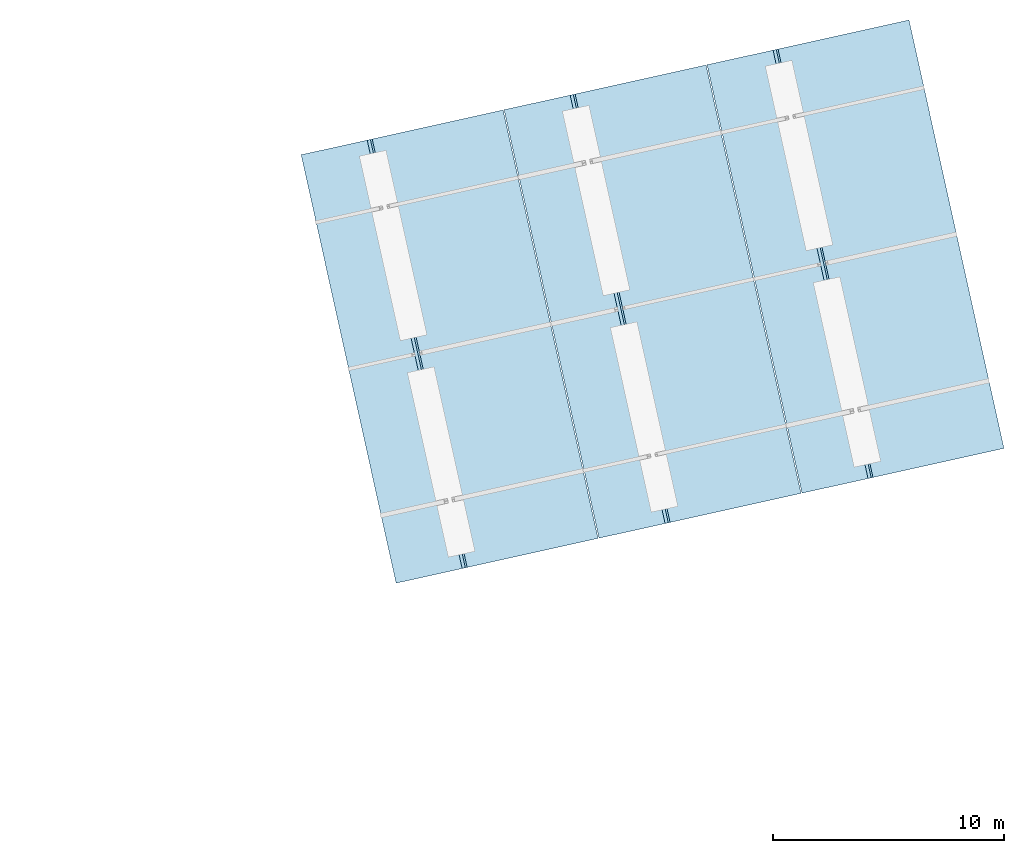
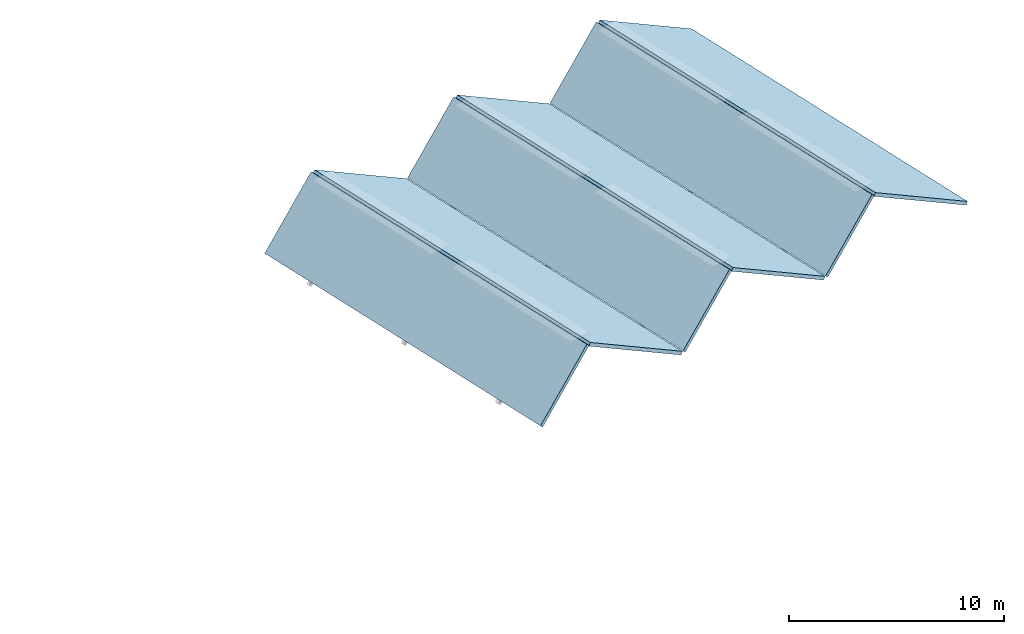
# One storey, part 22 of 27: 6 slabs.
"""IFC4 building model written with IfcOpenShell, lengths in metres."""

import ifcopenshell
import ifcopenshell.guid

model = None  # the IFC model being written
_history = None  # IfcOwnerHistory: only IFC2X3 demands one
_inside = {}  # id of a spatial element -> (the spatial element, [elements in it])
_under = {}  # id of a project, library or spatial element -> (it, [spatial elements below it])
_declared = {}  # id of a project -> (the project, [libraries it declares])
_typed = {}  # id of a type object -> (the type object, [elements of that type])
_made_of = {}  # id of a material, layer set ... -> (it, [elements and type objects made of it])


def new_model(schema):
    """Start an empty IFC model of exactly this schema.

    Asked for "IFC4X3", IfcOpenShell would pick the latest addendum, in which some entities
    have other attributes; the version numbers below select the first issue.
    IFC2X3 requires an IfcOwnerHistory on every rooted entity: one is made here for all.
    """
    global model, _history
    if schema == "IFC4X3":
        model = ifcopenshell.file(schema_version=(4, 3, 0, 0))
    else:
        model = ifcopenshell.file(schema=schema)
    _inside.clear()
    _under.clear()
    _declared.clear()
    _typed.clear()
    _made_of.clear()
    _history = None
    if model.schema == "IFC2X3":
        org = make("IfcOrganization", Name="unknown")
        user = make(
            "IfcPersonAndOrganization",
            ThePerson=make("IfcPerson", FamilyName="unknown"),
            TheOrganization=org,
        )
        app = make(
            "IfcApplication",
            ApplicationDeveloper=org,
            Version="unknown",
            ApplicationFullName="unknown",
            ApplicationIdentifier="unknown",
        )
        _history = make(
            "IfcOwnerHistory",
            OwningUser=user,
            OwningApplication=app,
            ChangeAction="ADDED",
            CreationDate=0,
        )
    return model


def make(cls, **values):
    """One entity of the class cls with the attributes given. An attribute that is None is left unset."""
    return model.create_entity(
        cls, **{name: value for name, value in values.items() if value is not None}
    )


def rooted(cls, **values):
    """An entity with a GlobalId (a new one), such as an element, a storey or a relation."""
    return make(cls, GlobalId=ifcopenshell.guid.new(), OwnerHistory=_history, **values)


def si_unit(unit_type, name, prefix=None):
    """IfcSIUnit, for example si_unit("LENGTHUNIT", "METRE", prefix="MILLI")."""
    return make("IfcSIUnit", UnitType=unit_type, Prefix=prefix, Name=name)


def assignment(units):
    """IfcUnitAssignment: the units of a project."""
    return None if units is None else make("IfcUnitAssignment", Units=units)


def point(xyz):
    """IfcCartesianPoint."""
    return None if xyz is None else make("IfcCartesianPoint", Coordinates=xyz)


def direction(xyz):
    """IfcDirection."""
    return None if xyz is None else make("IfcDirection", DirectionRatios=xyz)


def frame(location, z_axis=None, x_axis=None):
    """IfcAxis2Placement3D, a coordinate frame: its origin and axes. An axis left out is left unset."""
    return make(
        "IfcAxis2Placement3D",
        Location=point(location),
        Axis=direction(z_axis),
        RefDirection=direction(x_axis),
    )


def origin():
    """The frame at (0, 0, 0) with its axes left unset."""
    return frame((0.0, 0.0, 0.0))


def place(relative_to, where):
    """IfcLocalPlacement: puts the frame where relative to a parent placement (None: the world)."""
    return make(
        "IfcLocalPlacement", PlacementRelTo=relative_to, RelativePlacement=where
    )


def context(
    kind, dimensions, precision=None, world=None, true_north=None, identifier=None
):
    """IfcGeometricRepresentationContext, for example the 3D "Model" context."""
    return make(
        "IfcGeometricRepresentationContext",
        ContextIdentifier=identifier,
        ContextType=kind,
        CoordinateSpaceDimension=dimensions,
        Precision=precision,
        WorldCoordinateSystem=world,
        TrueNorth=true_north,
    )


def subcontext(parent, identifier, kind, view, scale=None):
    """IfcGeometricRepresentationSubContext, for example "Body" below "Model"."""
    return make(
        "IfcGeometricRepresentationSubContext",
        ContextIdentifier=identifier,
        ContextType=kind,
        ParentContext=parent,
        TargetScale=scale,
        TargetView=view,
    )


def project(units=None, contexts=None):
    """IfcProject with its units and contexts."""
    return rooted(
        "IfcProject",
        Name="project",
        RepresentationContexts=contexts,
        UnitsInContext=assignment(units),
    )


def spatial(cls, under=None, at=None, **own):
    """A site, building, storey or space (cls), placed at a placement, below another one or the project."""
    s = rooted(cls, ObjectPlacement=at, **own)
    if under is not None:
        _under.setdefault(under.id(), (under, []))[1].append(s)
    return s


def polyline(points):
    """IfcPolyline through the points."""
    return make("IfcPolyline", Points=[point(p) for p in points])


def outline(outer, holes=None, kind="AREA"):
    """IfcArbitraryClosedProfileDef: a profile drawn as a closed curve; with holes, ...WithVoids."""
    if holes is None:
        return make("IfcArbitraryClosedProfileDef", ProfileType=kind, OuterCurve=outer)
    return make(
        "IfcArbitraryProfileDefWithVoids",
        ProfileType=kind,
        OuterCurve=outer,
        InnerCurves=holes,
    )


def extrude(swept, where, along, depth):
    """IfcExtrudedAreaSolid: the profile swept, set in the frame where, extruded along a direction by depth."""
    return make(
        "IfcExtrudedAreaSolid",
        SweptArea=swept,
        Position=where,
        ExtrudedDirection=direction(along),
        Depth=depth,
    )


def shape(context_of_items, identifier, shape_type, items):
    """IfcShapeRepresentation: the items that make up one representation, for example the "Body"."""
    return make(
        "IfcShapeRepresentation",
        ContextOfItems=context_of_items,
        RepresentationIdentifier=identifier,
        RepresentationType=shape_type,
        Items=items,
    )


def material(Name=None, Category=None):
    """IfcMaterial."""
    return make("IfcMaterial", Name=Name, Category=Category)


def layer(
    of_material, thickness, ventilated=None, Name=None, Category=None, Priority=None
):
    """IfcMaterialLayer: one layer of a wall or slab, of a material (None: an air gap)."""
    return make(
        "IfcMaterialLayer",
        Material=of_material,
        LayerThickness=thickness,
        IsVentilated=ventilated,
        Name=Name,
        Category=Category,
        Priority=Priority,
    )


def layer_set(layers, Name=None):
    """IfcMaterialLayerSet."""
    return make("IfcMaterialLayerSet", MaterialLayers=layers, LayerSetName=Name)


def made_of(thing, what):
    """Note that an element or type object is made of a material, layer set ...; save() writes the relation."""
    if what is not None:
        _made_of.setdefault(what.id(), (what, []))[1].append(thing)
    return thing


def type_object(cls, material=None, **own):
    """A type object (cls), such as IfcWallType, which elements share."""
    return made_of(rooted(cls, **own), material)


def element(
    cls,
    number,
    at=None,
    inside=None,
    cuts=None,
    type_object=None,
    material=None,
    context=None,
    identifier="Body",
    shape_type=None,
    held_by="IfcProductDefinitionShape",
    body=None,
    shapes=None,
    **own,
):
    """One element of the class cls, such as IfcWall. Its Tag is "e" and its number.

    at: its placement. inside: the storey or other place that contains it. cuts: it is an
    opening in that element (IfcRelVoidsElement). A single representation is given by context,
    identifier, shape_type and body (its items); several are given by shapes. held_by: the class
    of the entity that holds the representations. save() writes the other relations.
    """
    e = rooted(cls, Tag="e%d" % number, ObjectPlacement=at, **own)
    if body is not None:
        shapes = [shape(context, identifier, shape_type, body)]
    if shapes is not None:
        e.Representation = make(held_by, Representations=shapes)
    if inside is not None:
        _inside.setdefault(inside.id(), (inside, []))[1].append(e)
    if cuts is not None:
        rooted(
            "IfcRelVoidsElement", RelatingBuildingElement=cuts, RelatedOpeningElement=e
        )
    if type_object is not None:
        _typed.setdefault(type_object.id(), (type_object, []))[1].append(e)
    return made_of(e, material)


def aggregate(whole, parts):
    """IfcRelAggregates: a whole, such as a stair, and the parts it consists of."""
    return rooted("IfcRelAggregates", RelatingObject=whole, RelatedObjects=parts)


def save(model, path):
    """Write the relations noted so far, then the file.

    IfcRelAggregates (storeys below a building ...), IfcRelContainedInSpatialStructure (elements
    in a storey), IfcRelDefinesByType, IfcRelAssociatesMaterial and IfcRelDeclares: one each for
    every whole, place, type object, material and project.
    """
    for whole, parts in _under.values():
        aggregate(whole, parts)
    for where, things in _inside.values():
        rooted(
            "IfcRelContainedInSpatialStructure",
            RelatedElements=things,
            RelatingStructure=where,
        )
    for kind, things in _typed.values():
        rooted("IfcRelDefinesByType", RelatedObjects=things, RelatingType=kind)
    for what, things in _made_of.values():
        rooted("IfcRelAssociatesMaterial", RelatedObjects=things, RelatingMaterial=what)
    for by, libraries in _declared.values():
        rooted("IfcRelDeclares", RelatingContext=by, RelatedDefinitions=libraries)
    model.write(path)


model = new_model("IFC4")

# Units and contexts
model_context = context("Model", 3, precision=1e-05, world=origin(), true_north=direction((0.0, 1.0)))
body_context = subcontext(model_context, "Body", "Model", "MODEL_VIEW")
ifc_project = project(units=[si_unit("LENGTHUNIT", "METRE"), si_unit("AREAUNIT", "SQUARE_METRE"), si_unit("VOLUMEUNIT", "CUBIC_METRE"), si_unit("PLANEANGLEUNIT", "RADIAN"), si_unit("MASSUNIT", "GRAM", prefix="KILO")], contexts=[model_context])

# Site, building, storey
site_placement = place(None, origin())
site = spatial("IfcSite", under=ifc_project, at=site_placement, CompositionType="ELEMENT")
building_placement = place(site_placement, origin())
building = spatial("IfcBuilding", under=site, at=building_placement, Name="Vireo Bluff Cable Station", CompositionType="ELEMENT")
storey_placement = place(building_placement, frame((0.0, 0.0, 19.199951171875)))
storey = spatial("IfcBuildingStorey", under=building, at=storey_placement, Name="L04", CompositionType="ELEMENT", Elevation=19.199951171875)

# Slabs
ifc_material = material(Name="Concrete f'c 50 MPa", Category="concrete")
ifc_layer = layer(ifc_material, 0.18994140625, Name="Concrete f'c 50 MPa")
ifc_layer_set = layer_set([ifc_layer], Name="Concrete f'c 50 MPa")
slab_type = type_object("IfcSlabType", Name="ROOFSLAB-190-2", PredefinedType="ROOF", material=ifc_layer_set)
slab_1_placement = place(storey_placement, frame((132.75, 85.22705078125, 0.0), z_axis=(-0.725112554433, -0.160752258741, 0.669604730206), x_axis=(0.653727665587, 0.144950454485, 0.742717648229)))
element("IfcSlab", 1, at=slab_1_placement, inside=storey, type_object=slab_type, Name="V2 folded concrete roof plate 1.1", PredefinedType="ROOF", context=body_context, shape_type="SweptSolid", body=[
    extrude(outline(polyline([(0.0, 0.0), (4.375821697182344, -2.706168622523819e-16), (4.3762615853979945, 18.999927529638487), (0.00043988821564999725, 18.999927529638487), (0.0, 0.0)])), origin(), (0.0, 0.0, -1.0), 0.18994140625),
])
slab_2_placement = place(storey_placement, frame((135.825439453125, 85.908935546875, 3.25), z_axis=(0.476620698168, 0.105666530887, 0.8727355237), x_axis=(0.852045355908, 0.18890740013, -0.488193307668)))
element("IfcSlab", 2, at=slab_2_placement, inside=storey, type_object=slab_type, Name="V2 folded concrete roof plate 1.2", PredefinedType="ROOF", context=body_context, shape_type="SweptSolid", body=[
    extrude(outline(polyline([(0.0, 0.0), (6.657094991102392, -9.367506770274758e-17), (6.657374136495045, 18.99992753259098), (7.112650693308353e-05, 18.999980377291177), (0.0, 0.0)])), origin(), (0.0, 0.0, -1.0), 0.18994140625),
])
slab_3_placement = place(storey_placement, frame((141.53662109375, 87.175048828125, 0.0), z_axis=(-0.725112554433, -0.160752258741, 0.669604730206), x_axis=(0.653727665587, 0.144950454485, 0.742717648229)))
element("IfcSlab", 3, at=slab_3_placement, inside=storey, type_object=slab_type, Name="V2 folded concrete roof plate 2.1", PredefinedType="ROOF", context=body_context, shape_type="SweptSolid", body=[
    extrude(outline(polyline([(0.0, 0.0), (4.375821697182344, -2.706168622523819e-16), (4.3762615853979945, 18.999927529638487), (0.00043988821564999725, 18.999927529638487), (0.0, 0.0)])), origin(), (0.0, 0.0, -1.0), 0.18994140625),
])
slab_4_placement = place(storey_placement, frame((144.612060546875, 87.85693359375, 3.25), z_axis=(0.476630605472, 0.105664895381, 0.872730311042), x_axis=(0.852048016199, 0.18887131597, -0.488202626062)))
element("IfcSlab", 4, at=slab_4_placement, inside=storey, type_object=slab_type, Name="V2 folded concrete roof plate 2.2", PredefinedType="ROOF", context=body_context, shape_type="SweptSolid", body=[
    extrude(outline(polyline([(0.0, 0.0), (6.657048875915921, 4.85722573273506e-17), (6.656693847245963, 19.000165885092155), (-0.00040113983108414075, 18.999927530491703), (0.0, 0.0)])), origin(), (0.0, 0.0, -1.0), 0.18994140625),
])
slab_5_placement = place(storey_placement, frame((150.3232421875, 89.123046875, 0.0), z_axis=(-0.725115709591, -0.160751900346, 0.669601399521), x_axis=(0.653736203241, 0.144896553865, 0.742720650885)))
element("IfcSlab", 5, at=slab_5_placement, inside=storey, type_object=slab_type, Name="V2 folded concrete roof plate 3.1", PredefinedType="ROOF", context=body_context, shape_type="SweptSolid", body=[
    extrude(outline(polyline([(0.0, 0.0), (4.37578631551143, 1.700029006457271e-16), (4.375226636614226, 19.000165880160257), (-0.000595054032425324, 18.999927525402345), (0.0, 0.0)])), origin(), (0.0, 0.0, -1.0), 0.18994140625),
])
slab_6_placement = place(storey_placement, frame((153.398681640625, 89.8046875, 3.25), z_axis=(0.476622496001, 0.105666234101, 0.872734577793), x_axis=(0.85204615056, 0.188899445721, -0.488194998666)))
element("IfcSlab", 6, at=slab_6_placement, inside=storey, type_object=slab_type, Name="V2 folded concrete roof plate 3.2", PredefinedType="ROOF", context=body_context, shape_type="SweptSolid", body=[
    extrude(outline(polyline([(0.0, 0.0), (6.657303010072623, 1.1796119636642288e-16), (6.657223317757289, 18.9999803772133), (0.00017444479313244443, 19.000165887479717), (0.0, 0.0)])), origin(), (0.0, 0.0, -1.0), 0.18994140625),
])

save(model, "model.ifc")
